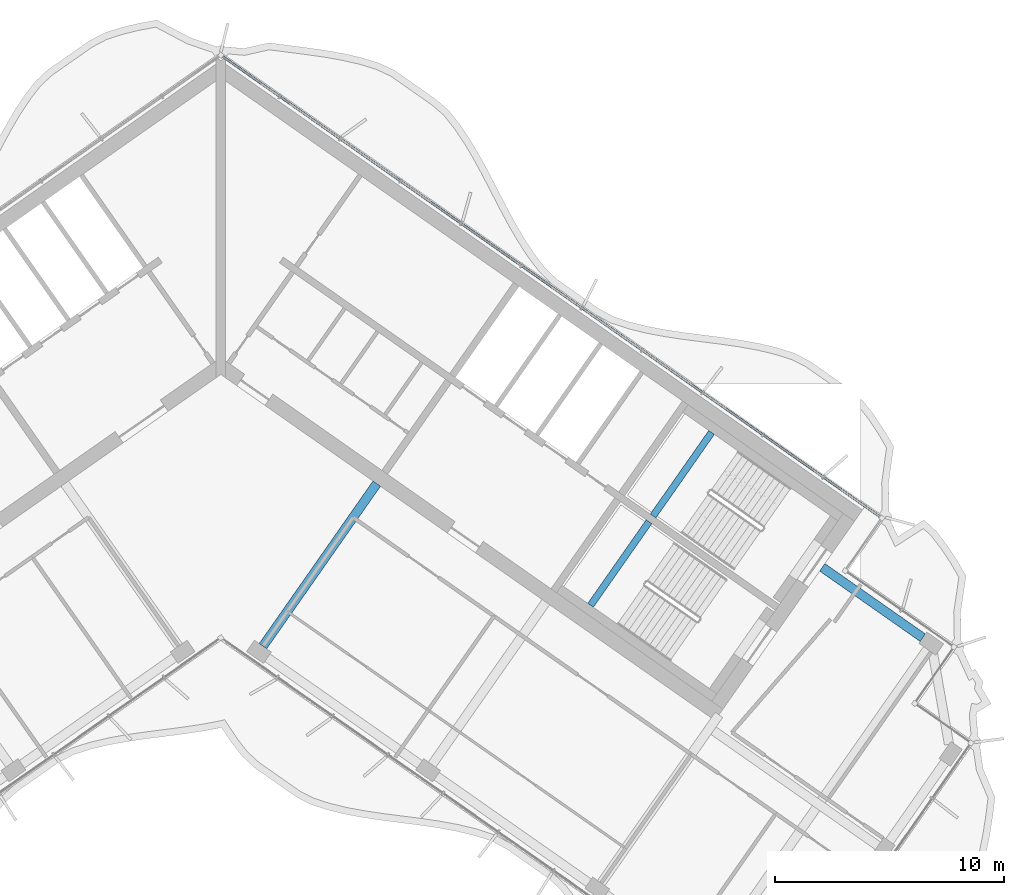
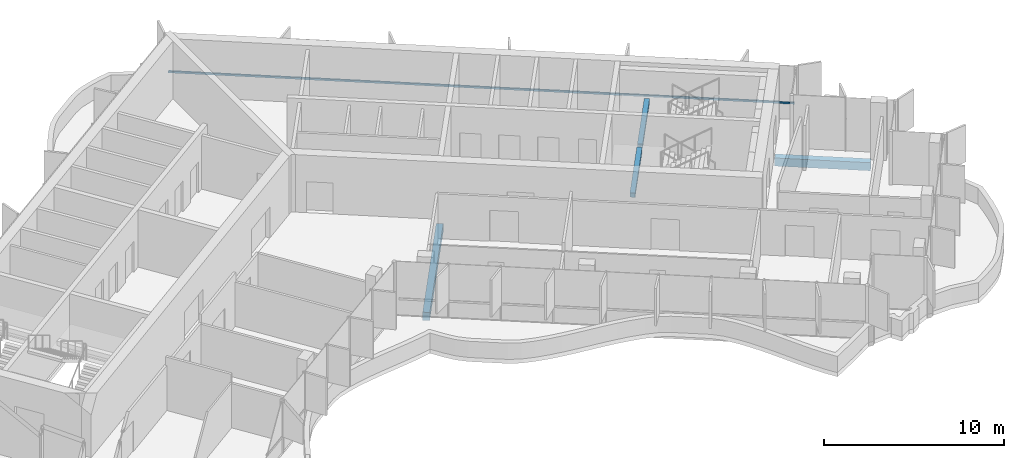
# One storey, part 5 of 20: 4 beams, 1 member, 1 element without a shape of its own.
"""IFC4 building model written with IfcOpenShell, lengths in metres."""

from ifc_helpers import new_model, si_unit, direction, frame, origin, origin_2d, place, context, subcontext, project, spatial, rectangle, extrude, material, material_profile, profile_set, type_object, element, aggregate, save


model = new_model("IFC4")

# Units and contexts
model_context = context("Model", 3, precision=1e-05, world=origin(), true_north=direction((0.0, 1.0)))
body_context = subcontext(model_context, "Body", "Model", "MODEL_VIEW")
ifc_project = project(units=[si_unit("LENGTHUNIT", "METRE"), si_unit("AREAUNIT", "SQUARE_METRE"), si_unit("VOLUMEUNIT", "CUBIC_METRE"), si_unit("PLANEANGLEUNIT", "RADIAN"), si_unit("MASSUNIT", "GRAM", prefix="KILO")], contexts=[model_context])

# Site, building, storey
site_placement = place(None, origin())
site = spatial("IfcSite", under=ifc_project, at=site_placement, CompositionType="ELEMENT")
building_placement = place(site_placement, origin())
building = spatial("IfcBuilding", under=site, at=building_placement, Name="Tel Ilan Convention Tower", CompositionType="ELEMENT")
storey_placement = place(building_placement, frame((0.0, 0.0, 233.199951171875)))
storey = spatial("IfcBuildingStorey", under=building, at=storey_placement, Name="L54", CompositionType="ELEMENT", Elevation=233.199951171875)

# Beams
ifc_material_1 = material(Name="Concrete C40/50", Category="concrete")
ifc_material_profile_1 = material_profile(ifc_material_1, rectangle(XDim=0.39990234375, YDim=0.550048828125, at=origin_2d()), Name="RC 400x550")
ifc_profile_set_1 = profile_set([ifc_material_profile_1], Name="Concrete C40/50")
beam_type_1 = type_object("IfcBeamType", Name="Beam RC 400x550 Concrete C40/50", PredefinedType="BEAM", material=ifc_profile_set_1)
beam_1_placement = place(storey_placement, frame((30.6005859375, -12.6982421875, -0.554931640625), z_axis=(-0.819146154531, 0.573584847705, 0.0), x_axis=(-0.573584847705, -0.819146154531, 0.0)))
element("IfcBeam", 1, at=beam_1_placement, inside=storey, type_object=beam_type_1, Name="L54 beam E-E-BC-core", PredefinedType="BEAM", context=body_context, shape_type="SweptSolid", body=[
    extrude(rectangle(XDim=0.39990234375, YDim=0.550048828125, at=origin_2d()), origin(), (0.0, 0.0, 1.0), 5.349853515625),
])
beam_2_placement = place(storey_placement, frame((1.83740234375, -13.06689453125, -0.554931640625), z_axis=(0.573574099654, 0.819153680457, 0.0), x_axis=(-0.819153680457, 0.573574099654, 0.0)))
element("IfcBeam", 2, at=beam_2_placement, inside=storey, type_object=beam_type_1, Name="L54 beam E-E-F1-core", PredefinedType="BEAM", context=body_context, shape_type="SweptSolid", body=[
    extrude(rectangle(XDim=0.39990234375, YDim=0.550048828125, at=origin_2d()), origin(), (0.0, 0.0, 1.0), 8.64990234375),
])

# Curtain wall, member
ifc_material_2 = material(Name="Aluminium, bronze anodised", Category="aluminium")
curtain_wall_type = type_object("IfcCurtainWallType", Name="CW2 STICK CURTAIN WALL, SPANDREL PANELS", PredefinedType="NOTDEFINED", material=ifc_material_2)
curtain_wall_placement = place(storey_placement, origin())
curtain_wall = element("IfcCurtainWall", 3, at=curtain_wall_placement, inside=storey, type_object=curtain_wall_type, Name="Curtain wall CW2-42.01", PredefinedType="NOTDEFINED")
ifc_material_3 = material(Name="Aluminium, bronze anodised", Category="aluminium")
ifc_material_profile_2 = material_profile(ifc_material_3, rectangle(XDim=0.10009765625, YDim=0.1201171875, at=origin_2d()), Name="CW TRANSOM 100x120")
ifc_profile_set_2 = profile_set([ifc_material_profile_2], Name="Aluminium, bronze anodised")
member_type = type_object("IfcMemberType", Name="CW TRANSOM 100x120", PredefinedType="USERDEFINED", material=ifc_profile_set_2)
member_placement = place(storey_placement, frame((28.737548828125, -7.42626953125, 1.10009765625), z_axis=(-0.819150201937, 0.573579067494, 0.0), x_axis=(-0.573579067494, -0.819150201937, 0.0)))
member = element("IfcMember", 4, at=member_placement, type_object=member_type, Name="Transom", ObjectType="TRANSOM", PredefinedType="USERDEFINED", context=body_context, shape_type="SweptSolid", body=[
    extrude(rectangle(XDim=0.10009765625, YDim=0.1201171875, at=origin_2d()), origin(), (0.0, 0.0, 1.0), 34.9521484375),
])
aggregate(curtain_wall, [member])

# Beams
ifc_material_4 = material(Name="Concrete C40/50", Category="concrete")
ifc_material_profile_3 = material_profile(ifc_material_4, rectangle(XDim=0.300048828125, YDim=0.300048828125, at=origin_2d()), Name="RC 300x300")
ifc_profile_set_3 = profile_set([ifc_material_profile_3], Name="Concrete C40/50")
beam_type_2 = type_object("IfcBeamType", Name="Landing Beam RC 300x300 Concrete C40/50", PredefinedType="BEAM", material=ifc_profile_set_3)
beam_3_placement = place(storey_placement, frame((21.39404296875, -3.7490234375, 1.60009765625), z_axis=(-0.573547030514, -0.819172633691, 0.0), x_axis=(0.819172633691, -0.573547030514, 0.0)))
element("IfcBeam", 5, at=beam_3_placement, inside=storey, type_object=beam_type_2, Name="S3 landing beam L54.1", PredefinedType="BEAM", context=body_context, shape_type="SweptSolid", body=[
    extrude(rectangle(XDim=0.300048828125, YDim=0.300048828125, at=origin_2d()), origin(), (0.0, 0.0, 1.0), 4.449951171875),
])
beam_4_placement = place(storey_placement, frame((18.669677734375, -7.64013671875, 1.60009765625), z_axis=(-0.573583844845, -0.819146856756, 0.0), x_axis=(0.819146856756, -0.573583844845, 0.0)))
element("IfcBeam", 6, at=beam_4_placement, inside=storey, type_object=beam_type_2, Name="S4 landing beam L54.1", PredefinedType="BEAM", context=body_context, shape_type="SweptSolid", body=[
    extrude(rectangle(XDim=0.300048828125, YDim=0.300048828125, at=origin_2d()), origin(), (0.0, 0.0, 1.0), 4.4501953125),
])

save(model, "model.ifc")
